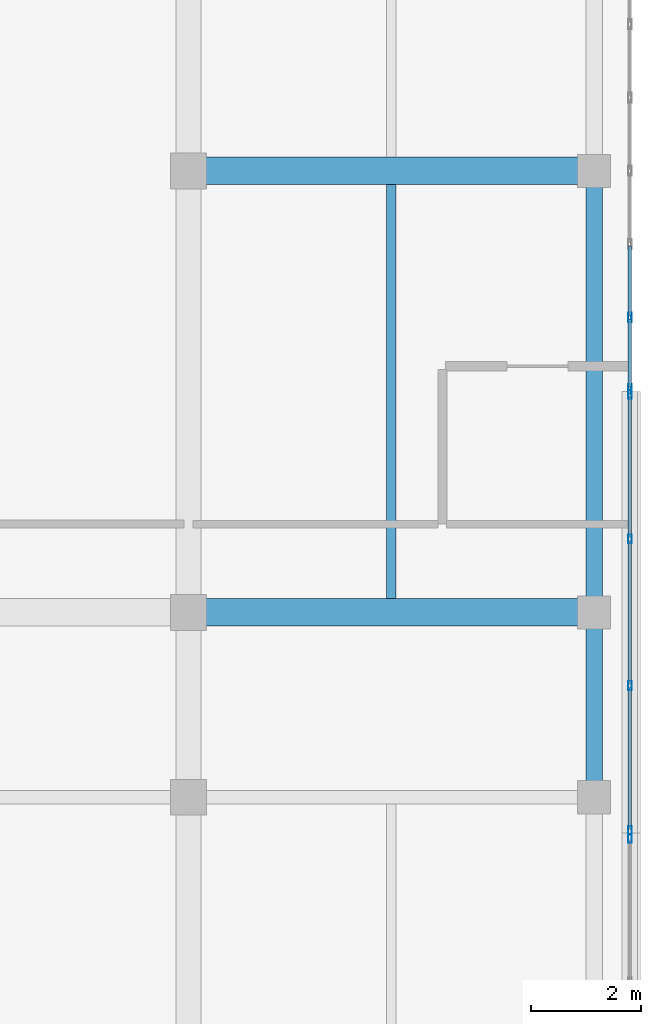
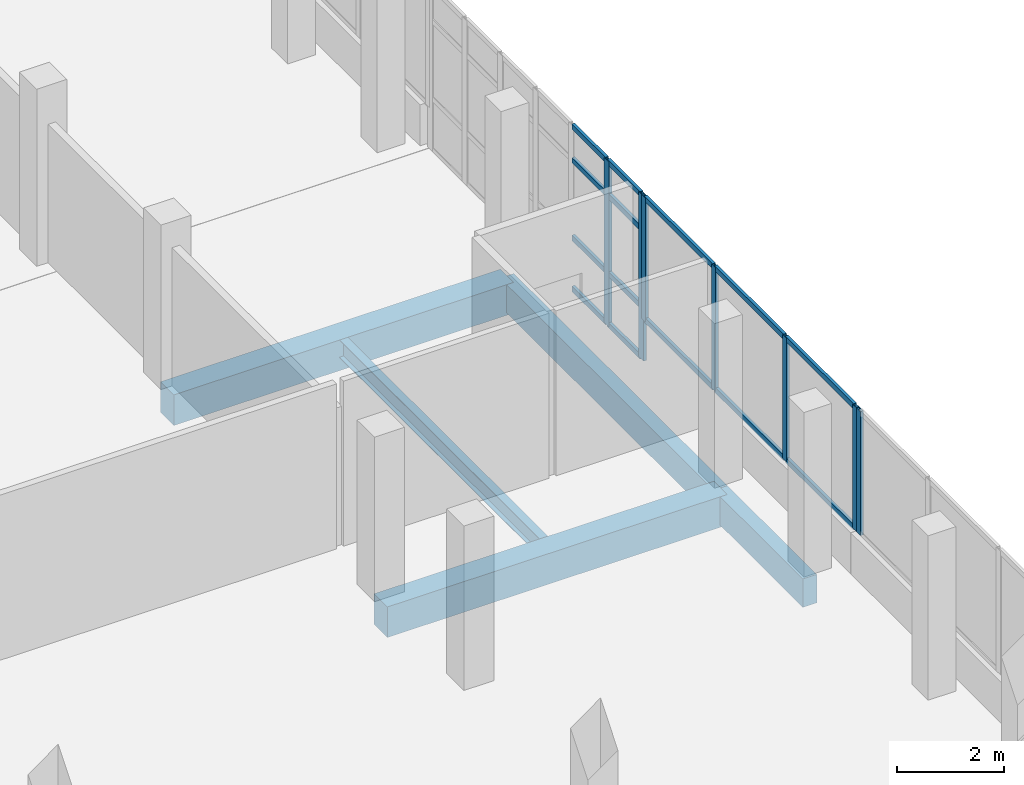
# One storey, part 49 of 78: 21 members, 5 beams, 3 elements without a shape of their own.
"""IFC4 building model written with IfcOpenShell, lengths in metres."""

from ifc_helpers import new_model, si_unit, direction, frame, origin, origin_2d, place, context, subcontext, project, spatial, rectangle, hollow_rectangle, i_section, extrude, material, material_profile, profile_set, type_object, element, aggregate, save


model = new_model("IFC4")

# Units and contexts
model_context = context("Model", 3, precision=1e-05, world=origin(), true_north=direction((0.0, 1.0)))
body_context = subcontext(model_context, "Body", "Model", "MODEL_VIEW")
ifc_project = project(units=[si_unit("LENGTHUNIT", "METRE"), si_unit("AREAUNIT", "SQUARE_METRE"), si_unit("VOLUMEUNIT", "CUBIC_METRE"), si_unit("PLANEANGLEUNIT", "RADIAN"), si_unit("MASSUNIT", "GRAM", prefix="KILO")], contexts=[model_context])

# Site, building, storey
site_placement = place(None, origin())
site = spatial("IfcSite", under=ifc_project, at=site_placement, CompositionType="ELEMENT")
building_placement = place(site_placement, origin())
building = spatial("IfcBuilding", under=site, at=building_placement, Name="Selatvlak General Hospital", CompositionType="ELEMENT")
storey_placement = place(building_placement, frame((0.0, 0.0, 23.25)))
storey = spatial("IfcBuildingStorey", under=building, at=storey_placement, Name="L05", CompositionType="ELEMENT", Elevation=23.25)

# Beams
ifc_material_1 = material(Name="Concrete C40/50", Category="concrete")
ifc_material_profile_1 = material_profile(ifc_material_1, rectangle(XDim=0.5, YDim=0.699951171875, at=origin_2d()), Name="RC-BM 500x700")
ifc_profile_set_1 = profile_set([ifc_material_profile_1], Name="Concrete C40/50")
beam_type_1 = type_object("IfcBeamType", Name="BM-G03", PredefinedType="BEAM", material=ifc_profile_set_1)
for number, where, z_axis, x_axis, name in (
    (1, (174.0, 76.0, -0.6298828125), (1.0, 0.0, 0.0), (0.0, 1.0, 0.0), "Beam BMR-L05-1878"),
    (2, (174.0, 84.0, -0.6298828125), (1.0, 0.0, 0.0), (0.0, 1.0, 0.0), "Beam BMR-L05-1883"),
):
    element("IfcBeam", number, at=place(storey_placement, frame(where, z_axis=z_axis, x_axis=x_axis)), inside=storey, type_object=beam_type_1, Name=name, PredefinedType="BEAM", context=body_context, shape_type="SweptSolid", body=[
        extrude(rectangle(XDim=0.5, YDim=0.699951171875, at=origin_2d()), origin(), (0.0, 0.0, 1.0), 7.35009765625),
    ])
ifc_material_2 = material(Name="Steel S355", Category="steel")
ifc_material_profile_2 = material_profile(ifc_material_2, i_section(OverallWidth=0.177978515625, OverallDepth=0.406494140625, WebThickness=0.0078125, FlangeThickness=0.0126953125, at=origin_2d()), Name="UB 406x178x60")
ifc_profile_set_2 = profile_set([ifc_material_profile_2], Name="Steel S355")
beam_type_2 = type_object("IfcBeamType", Name="BM-J04", PredefinedType="JOIST", material=ifc_profile_set_2)
beam_1_placement = place(storey_placement, frame((177.675048828125, 76.25, -0.48291015625), z_axis=(0.0, 1.0, 0.0), x_axis=(-1.0, 0.0, 0.0)))
element("IfcBeam", 3, at=beam_1_placement, inside=storey, type_object=beam_type_2, Name="Beam BMR-L05-2121", PredefinedType="JOIST", context=body_context, shape_type="SweptSolid", body=[
    extrude(i_section(OverallWidth=0.177978515625, OverallDepth=0.406494140625, WebThickness=0.0078125, FlangeThickness=0.0126953125, at=origin_2d()), origin(), (0.0, 0.0, 1.0), 7.5),
])
ifc_material_profile_3 = material_profile(ifc_material_1, rectangle(XDim=0.300048828125, YDim=0.64990234375, at=origin_2d()), Name="RC-SP 300x650")
ifc_profile_set_3 = profile_set([ifc_material_profile_3], Name="Concrete C40/50")
beam_type_3 = type_object("IfcBeamType", Name="BM-SP1", PredefinedType="SPANDREL", material=ifc_profile_set_3)
beam_2_placement = place(storey_placement, frame((181.35009765625, 72.64990234375, -0.60498046875), z_axis=(0.0, 1.0, 0.0), x_axis=(-1.0, 0.0, 0.0)))
element("IfcBeam", 4, at=beam_2_placement, inside=storey, type_object=beam_type_3, Name="Beam BMR-L05-2107", PredefinedType="SPANDREL", context=body_context, shape_type="SweptSolid", body=[
    extrude(rectangle(XDim=0.300048828125, YDim=0.64990234375, at=origin_2d()), origin(), (0.0, 0.0, 1.0), 3.35009765625),
])
beam_3_placement = place(storey_placement, frame((181.35009765625, 76.0, -0.60498046875), z_axis=(0.0, 1.0, 0.0), x_axis=(-1.0, 0.0, 0.0)))
element("IfcBeam", 5, at=beam_3_placement, inside=storey, type_object=beam_type_3, Name="Beam BMR-L05-2108", PredefinedType="SPANDREL", context=body_context, shape_type="SweptSolid", body=[
    extrude(rectangle(XDim=0.300048828125, YDim=0.64990234375, at=origin_2d()), origin(), (0.0, 0.0, 1.0), 8.0),
])

# Curtain wall, members
ifc_material_3 = material(Name="Solar-control Low-E double glazing", Category="glass")
curtain_wall_type_1 = type_object("IfcCurtainWallType", Name="CW-CW-02", PredefinedType="USERDEFINED", material=ifc_material_3)
curtain_wall_1_placement = place(storey_placement, origin())
curtain_wall_1 = element("IfcCurtainWall", 6, at=curtain_wall_1_placement, inside=storey, type_object=curtain_wall_type_1, Name="Glazed facade curtain wall CW-L05-0571", ObjectType="UNITISED CURTAIN WALL", PredefinedType="USERDEFINED")
ifc_material_4 = material(Name="Dark anodised aluminium mullion", Category="aluminium")
ifc_material_profile_4 = material_profile(ifc_material_4, hollow_rectangle(XDim=0.06494140625, YDim=0.159912109375, WallThickness=0.00390625, at=origin_2d()), Name="AL-MUL 65x160x4")
ifc_profile_set_4 = profile_set([ifc_material_profile_4], Name="Dark anodised aluminium mullion")
member_type_1 = type_object("IfcMemberType", Name="CWM-01", PredefinedType="MULLION", material=ifc_profile_set_4)
member_1_placement = place(storey_placement, frame((182.0, 79.95361328125, 0.93994140625), z_axis=(0.0, 0.0, 1.0), x_axis=(1.0, 0.0, 0.0)))
member_1 = element("IfcMember", 7, at=member_1_placement, type_object=member_type_1, Name="CW-02 mullion 1", PredefinedType="MULLION", context=body_context, shape_type="SweptSolid", body=[
    extrude(hollow_rectangle(XDim=0.06494140625, YDim=0.159912109375, WallThickness=0.00390625, at=origin_2d()), origin(), (0.0, 0.0, 1.0), 2.8349609375),
])
member_2_placement = place(storey_placement, frame((182.0, 77.329345703125, 0.93994140625), z_axis=(0.0, 0.0, 1.0), x_axis=(1.0, 0.0, 0.0)))
member_2 = element("IfcMember", 8, at=member_2_placement, type_object=member_type_1, Name="CW-02 mullion 2", PredefinedType="MULLION", context=body_context, shape_type="SweptSolid", body=[
    extrude(hollow_rectangle(XDim=0.06494140625, YDim=0.159912109375, WallThickness=0.00390625, at=origin_2d()), origin(), (0.0, 0.0, 1.0), 2.8349609375),
])
member_3_placement = place(storey_placement, frame((182.0, 74.672607421875, 0.93994140625), z_axis=(0.0, 0.0, 1.0), x_axis=(1.0, 0.0, 0.0)))
member_3 = element("IfcMember", 9, at=member_3_placement, type_object=member_type_1, Name="CW-02 mullion 3", PredefinedType="MULLION", context=body_context, shape_type="SweptSolid", body=[
    extrude(hollow_rectangle(XDim=0.06494140625, YDim=0.159912109375, WallThickness=0.00390625, at=origin_2d()), origin(), (0.0, 0.0, 1.0), 2.8349609375),
])
member_4_placement = place(storey_placement, frame((182.0, 72.048583984375, 0.93994140625), z_axis=(0.0, 0.0, 1.0), x_axis=(1.0, 0.0, 0.0)))
member_4 = element("IfcMember", 10, at=member_4_placement, type_object=member_type_1, Name="CW-02 mullion 4", PredefinedType="MULLION", context=body_context, shape_type="SweptSolid", body=[
    extrude(hollow_rectangle(XDim=0.06494140625, YDim=0.159912109375, WallThickness=0.00390625, at=origin_2d()), origin(), (0.0, 0.0, 1.0), 2.8349609375),
])

# Curtain wall, member
curtain_wall_type_2 = type_object("IfcCurtainWallType", Name="CW-CW-01", PredefinedType="USERDEFINED", material=ifc_material_3)
curtain_wall_2_placement = place(storey_placement, origin())
curtain_wall_2 = element("IfcCurtainWall", 11, at=curtain_wall_2_placement, inside=storey, type_object=curtain_wall_type_2, Name="Glazed facade curtain wall CW-L05-0572", ObjectType="UNITISED CURTAIN WALL", PredefinedType="USERDEFINED")
member_5_placement = place(storey_placement, frame((182.0, 71.903564453125, 0.93994140625), z_axis=(0.0, 0.0, 1.0), x_axis=(1.0, 0.0, 0.0)))
member_5 = element("IfcMember", 12, at=member_5_placement, type_object=member_type_1, Name="CW-01 mullion 1", PredefinedType="MULLION", context=body_context, shape_type="SweptSolid", body=[
    extrude(hollow_rectangle(XDim=0.06494140625, YDim=0.159912109375, WallThickness=0.00390625, at=origin_2d()), origin(), (0.0, 0.0, 1.0), 2.8349609375),
])
aggregate(curtain_wall_2, [member_5])

# Curtain wall, members
curtain_wall_type_3 = type_object("IfcCurtainWallType", Name="CW-CW-04", PredefinedType="USERDEFINED", material=ifc_material_3)
curtain_wall_3_placement = place(storey_placement, origin())
curtain_wall_3 = element("IfcCurtainWall", 13, at=curtain_wall_3_placement, inside=storey, type_object=curtain_wall_type_3, Name="Glazed facade curtain wall CW-L05-0570", ObjectType="STICK GLAZING WALL", PredefinedType="USERDEFINED")
ifc_material_profile_5 = material_profile(ifc_material_4, hollow_rectangle(XDim=0.06494140625, YDim=0.179931640625, WallThickness=0.00439453125, at=origin_2d()), Name="AL-MUL 65x180x4.5")
ifc_profile_set_5 = profile_set([ifc_material_profile_5], Name="Dark anodised aluminium mullion")
member_type_2 = type_object("IfcMemberType", Name="CWM-02", PredefinedType="MULLION", material=ifc_profile_set_5)
member_6_placement = place(storey_placement, frame((182.0, 81.34423828125, 0.0), z_axis=(0.0, 0.0, 1.0), x_axis=(1.0, 0.0, 0.0)))
member_6 = element("IfcMember", 14, at=member_6_placement, type_object=member_type_2, Name="CW-04 mullion 6", PredefinedType="MULLION", context=body_context, shape_type="SweptSolid", body=[
    extrude(hollow_rectangle(XDim=0.06494140625, YDim=0.179931640625, WallThickness=0.00439453125, at=origin_2d()), origin(), (0.0, 0.0, 1.0), 3.77490234375),
])
member_7_placement = place(storey_placement, frame((182.0, 80.048583984375, 0.0), z_axis=(0.0, 0.0, 1.0), x_axis=(1.0, 0.0, 0.0)))
member_7 = element("IfcMember", 15, at=member_7_placement, type_object=member_type_2, Name="CW-04 mullion 7", PredefinedType="MULLION", context=body_context, shape_type="SweptSolid", body=[
    extrude(hollow_rectangle(XDim=0.06494140625, YDim=0.179931640625, WallThickness=0.00439453125, at=origin_2d()), origin(), (0.0, 0.0, 1.0), 3.77490234375),
])
ifc_material_profile_6 = material_profile(ifc_material_4, hollow_rectangle(XDim=0.06494140625, YDim=0.1201171875, WallThickness=0.00390625, at=origin_2d()), Name="AL-TRN 65x120x4")
ifc_profile_set_6 = profile_set([ifc_material_profile_6], Name="Dark anodised aluminium mullion")
member_type_3 = type_object("IfcMemberType", Name="CWT-01", PredefinedType="USERDEFINED", material=ifc_profile_set_6)
member_8_placement = place(storey_placement, frame((182.0, 82.64013671875, 0.032470703125), z_axis=(0.0, -1.0, 0.0), x_axis=(1.0, 0.0, 0.0)))
member_8 = element("IfcMember", 16, at=member_8_placement, type_object=member_type_3, Name="CW-04 transom 5.1", ObjectType="TRANSOM", PredefinedType="USERDEFINED", context=body_context, shape_type="SweptSolid", body=[
    extrude(hollow_rectangle(XDim=0.06494140625, YDim=0.1201171875, WallThickness=0.00390625, at=origin_2d()), origin(), (0.0, 0.0, 1.0), 1.26318359375),
])
member_9_placement = place(storey_placement, frame((182.0, 82.64013671875, 1.199951171875), z_axis=(0.0, -1.0, 0.0), x_axis=(1.0, 0.0, 0.0)))
member_9 = element("IfcMember", 17, at=member_9_placement, type_object=member_type_3, Name="CW-04 transom 5.2", ObjectType="TRANSOM", PredefinedType="USERDEFINED", context=body_context, shape_type="SweptSolid", body=[
    extrude(hollow_rectangle(XDim=0.06494140625, YDim=0.1201171875, WallThickness=0.00390625, at=origin_2d()), origin(), (0.0, 0.0, 1.0), 1.26318359375),
])
member_10_placement = place(storey_placement, frame((182.0, 82.64013671875, 2.97509765625), z_axis=(0.0, -1.0, 0.0), x_axis=(1.0, 0.0, 0.0)))
member_10 = element("IfcMember", 18, at=member_10_placement, type_object=member_type_3, Name="CW-04 transom 5.3", ObjectType="TRANSOM", PredefinedType="USERDEFINED", context=body_context, shape_type="SweptSolid", body=[
    extrude(hollow_rectangle(XDim=0.06494140625, YDim=0.1201171875, WallThickness=0.00390625, at=origin_2d()), origin(), (0.0, 0.0, 1.0), 1.26318359375),
])
member_11_placement = place(storey_placement, frame((182.0, 82.64013671875, 3.742431640625), z_axis=(0.0, -1.0, 0.0), x_axis=(1.0, 0.0, 0.0)))
member_11 = element("IfcMember", 19, at=member_11_placement, type_object=member_type_3, Name="CW-04 transom 5.4", ObjectType="TRANSOM", PredefinedType="USERDEFINED", context=body_context, shape_type="SweptSolid", body=[
    extrude(hollow_rectangle(XDim=0.06494140625, YDim=0.1201171875, WallThickness=0.00390625, at=origin_2d()), origin(), (0.0, 0.0, 1.0), 1.26318359375),
])
member_12_placement = place(storey_placement, frame((182.0, 81.311767578125, 0.032470703125), z_axis=(0.0, -1.0, 0.0), x_axis=(1.0, 0.0, 0.0)))
member_12 = element("IfcMember", 20, at=member_12_placement, type_object=member_type_3, Name="CW-04 transom 6.1", ObjectType="TRANSOM", PredefinedType="USERDEFINED", context=body_context, shape_type="SweptSolid", body=[
    extrude(hollow_rectangle(XDim=0.06494140625, YDim=0.1201171875, WallThickness=0.00390625, at=origin_2d()), origin(), (0.0, 0.0, 1.0), 1.230712890625),
])
member_13_placement = place(storey_placement, frame((182.0, 81.311767578125, 1.199951171875), z_axis=(0.0, -1.0, 0.0), x_axis=(1.0, 0.0, 0.0)))
member_13 = element("IfcMember", 21, at=member_13_placement, type_object=member_type_3, Name="CW-04 transom 6.2", ObjectType="TRANSOM", PredefinedType="USERDEFINED", context=body_context, shape_type="SweptSolid", body=[
    extrude(hollow_rectangle(XDim=0.06494140625, YDim=0.1201171875, WallThickness=0.00390625, at=origin_2d()), origin(), (0.0, 0.0, 1.0), 1.230712890625),
])
member_14_placement = place(storey_placement, frame((182.0, 81.311767578125, 2.97509765625), z_axis=(0.0, -1.0, 0.0), x_axis=(1.0, 0.0, 0.0)))
member_14 = element("IfcMember", 22, at=member_14_placement, type_object=member_type_3, Name="CW-04 transom 6.3", ObjectType="TRANSOM", PredefinedType="USERDEFINED", context=body_context, shape_type="SweptSolid", body=[
    extrude(hollow_rectangle(XDim=0.06494140625, YDim=0.1201171875, WallThickness=0.00390625, at=origin_2d()), origin(), (0.0, 0.0, 1.0), 1.230712890625),
])
member_15_placement = place(storey_placement, frame((182.0, 81.311767578125, 3.742431640625), z_axis=(0.0, -1.0, 0.0), x_axis=(1.0, 0.0, 0.0)))
member_15 = element("IfcMember", 23, at=member_15_placement, type_object=member_type_3, Name="CW-04 transom 6.4", ObjectType="TRANSOM", PredefinedType="USERDEFINED", context=body_context, shape_type="SweptSolid", body=[
    extrude(hollow_rectangle(XDim=0.06494140625, YDim=0.1201171875, WallThickness=0.00390625, at=origin_2d()), origin(), (0.0, 0.0, 1.0), 1.230712890625),
])
aggregate(curtain_wall_3, [member_6, member_7, member_8, member_9, member_10, member_11, member_12, member_13, member_14, member_15])

# Member
member_16_placement = place(storey_placement, frame((182.0, 79.9208984375, 0.972412109375), z_axis=(0.0, -1.0, 0.0), x_axis=(1.0, 0.0, 0.0)))
member_16 = element("IfcMember", 24, at=member_16_placement, type_object=member_type_3, Name="CW-02 transom 1.1", ObjectType="TRANSOM", PredefinedType="USERDEFINED", context=body_context, shape_type="SweptSolid", body=[
    extrude(hollow_rectangle(XDim=0.06494140625, YDim=0.1201171875, WallThickness=0.00390625, at=origin_2d()), origin(), (0.0, 0.0, 1.0), 2.55908203125),
])

member_17_placement = place(storey_placement, frame((182.0, 79.9208984375, 3.742431640625), z_axis=(0.0, -1.0, 0.0), x_axis=(1.0, 0.0, 0.0)))
member_17 = element("IfcMember", 25, at=member_17_placement, type_object=member_type_3, Name="CW-02 transom 1.2", ObjectType="TRANSOM", PredefinedType="USERDEFINED", context=body_context, shape_type="SweptSolid", body=[
    extrude(hollow_rectangle(XDim=0.06494140625, YDim=0.1201171875, WallThickness=0.00390625, at=origin_2d()), origin(), (0.0, 0.0, 1.0), 2.55908203125),
])

member_18_placement = place(storey_placement, frame((182.0, 77.296875, 0.972412109375), z_axis=(0.0, -1.0, 0.0), x_axis=(1.0, 0.0, 0.0)))
member_18 = element("IfcMember", 26, at=member_18_placement, type_object=member_type_3, Name="CW-02 transom 2.1", ObjectType="TRANSOM", PredefinedType="USERDEFINED", context=body_context, shape_type="SweptSolid", body=[
    extrude(hollow_rectangle(XDim=0.06494140625, YDim=0.1201171875, WallThickness=0.00390625, at=origin_2d()), origin(), (0.0, 0.0, 1.0), 2.591796875),
])

member_19_placement = place(storey_placement, frame((182.0, 77.296875, 3.742431640625), z_axis=(0.0, -1.0, 0.0), x_axis=(1.0, 0.0, 0.0)))
member_19 = element("IfcMember", 27, at=member_19_placement, type_object=member_type_3, Name="CW-02 transom 2.2", ObjectType="TRANSOM", PredefinedType="USERDEFINED", context=body_context, shape_type="SweptSolid", body=[
    extrude(hollow_rectangle(XDim=0.06494140625, YDim=0.1201171875, WallThickness=0.00390625, at=origin_2d()), origin(), (0.0, 0.0, 1.0), 2.591796875),
])

member_20_placement = place(storey_placement, frame((182.0, 74.64013671875, 0.972412109375), z_axis=(0.0, -1.0, 0.0), x_axis=(1.0, 0.0, 0.0)))
member_20 = element("IfcMember", 28, at=member_20_placement, type_object=member_type_3, Name="CW-02 transom 3.1", ObjectType="TRANSOM", PredefinedType="USERDEFINED", context=body_context, shape_type="SweptSolid", body=[
    extrude(hollow_rectangle(XDim=0.06494140625, YDim=0.1201171875, WallThickness=0.00390625, at=origin_2d()), origin(), (0.0, 0.0, 1.0), 2.55908203125),
])

member_21_placement = place(storey_placement, frame((182.0, 74.64013671875, 3.742431640625), z_axis=(0.0, -1.0, 0.0), x_axis=(1.0, 0.0, 0.0)))
member_21 = element("IfcMember", 29, at=member_21_placement, type_object=member_type_3, Name="CW-02 transom 3.2", ObjectType="TRANSOM", PredefinedType="USERDEFINED", context=body_context, shape_type="SweptSolid", body=[
    extrude(hollow_rectangle(XDim=0.06494140625, YDim=0.1201171875, WallThickness=0.00390625, at=origin_2d()), origin(), (0.0, 0.0, 1.0), 2.55908203125),
])

aggregate(curtain_wall_1, [member_1, member_2, member_3, member_4, member_16, member_17, member_18, member_19, member_20, member_21])

save(model, "model.ifc")
